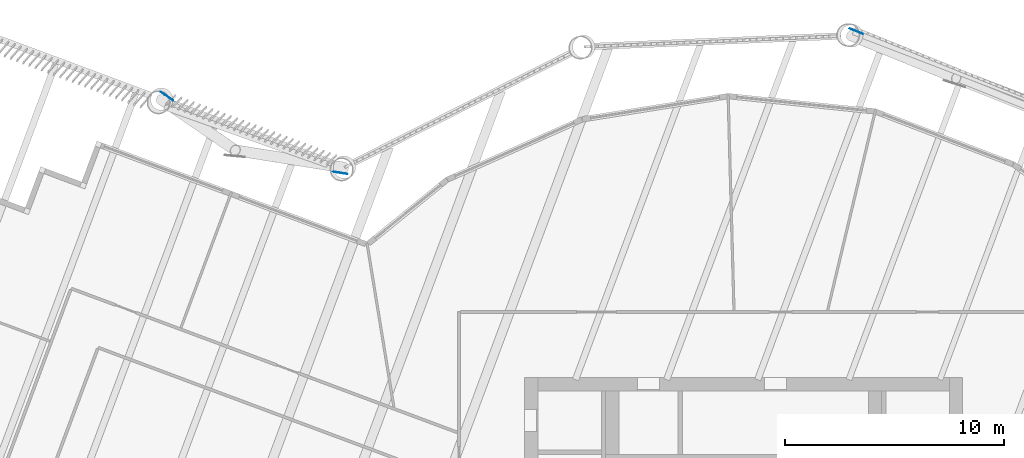
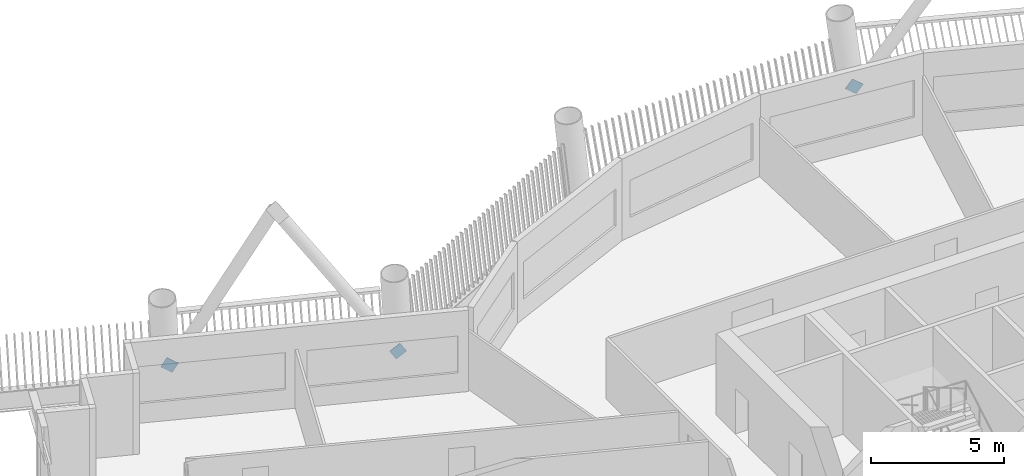
# One storey, part 14 of 22: 3 discrete accessories.
"""IFC4 building model written with IfcOpenShell, lengths in metres."""

from ifc_helpers import new_model, si_unit, direction, frame, origin, origin_2d, place, context, subcontext, project, spatial, rectangle, extrude, material, material_profile, profile_set, type_object, element, save


model = new_model("IFC4")

# Units and contexts
model_context = context("Model", 3, precision=1e-05, world=origin(), true_north=direction((0.0, 1.0)))
body_context = subcontext(model_context, "Body", "Model", "MODEL_VIEW")
ifc_project = project(units=[si_unit("LENGTHUNIT", "METRE"), si_unit("AREAUNIT", "SQUARE_METRE"), si_unit("VOLUMEUNIT", "CUBIC_METRE"), si_unit("PLANEANGLEUNIT", "RADIAN"), si_unit("MASSUNIT", "GRAM", prefix="KILO")], contexts=[model_context])

# Site, building, storey
site_placement = place(None, origin())
site = spatial("IfcSite", under=ifc_project, at=site_placement, CompositionType="ELEMENT")
building_placement = place(site_placement, origin())
building = spatial("IfcBuilding", under=site, at=building_placement, Name="Tarsis Ring Headquarters", CompositionType="ELEMENT")
storey_placement = place(building_placement, frame((0.0, 0.0, 200.39990234375)))
storey = spatial("IfcBuildingStorey", under=building, at=storey_placement, Name="L46", CompositionType="ELEMENT", Elevation=200.39990234375)

# Discrete accessories
ifc_material = material(Name="Structural steel S355", Category="steel")
ifc_material_profile = material_profile(ifc_material, rectangle(XDim=0.02490234375, YDim=0.5, at=origin_2d()), Name="PL 25x500")
ifc_profile_set = profile_set([ifc_material_profile], Name="Structural steel S355")
discrete_accessory_type = type_object("IfcDiscreteAccessoryType", Name="Gusset plate Exo brace 25", PredefinedType="BRACKET", material=ifc_profile_set)
discrete_accessory_placement = place(storey_placement, frame((5.022216796875, 28.87548828125, 0.0), z_axis=(0.51175993107, -0.208024552133, 0.833563170168), x_axis=(0.376566723575, 0.926389498373, 0.0)))
element("IfcDiscreteAccessory", 1, at=discrete_accessory_placement, inside=storey, type_object=discrete_accessory_type, Name="Gusset plate GP5", PredefinedType="BRACKET", context=body_context, shape_type="SweptSolid", body=[
    extrude(rectangle(XDim=0.02490234375, YDim=0.5, at=origin_2d()), origin(), (0.0, 0.0, 1.0), 0.5),
])
for number, where, z_axis, x_axis, name in (
    (2, (-18.295166015625, 22.333984375, 0.0), (-0.534976373353, 0.08542049757, 0.84053769609), (-0.157674230895, -0.987491183207, 0.0), "Gusset plate GP5"),
    (3, (-26.444091796875, 25.92578125, 0.0), (0.383162041238, -0.2630883315, 0.885421583192), (0.566038460327, 0.824378833686, 0.0), "Gusset plate GP5"),
):
    element("IfcDiscreteAccessory", number, at=place(storey_placement, frame(where, z_axis=z_axis, x_axis=x_axis)), inside=storey, type_object=discrete_accessory_type, Name=name, PredefinedType="BRACKET", context=body_context, shape_type="SweptSolid", body=[
        extrude(rectangle(XDim=0.02490234375, YDim=0.5, at=origin_2d()), origin(), (0.0, 0.0, 1.0), 0.500244140625),
    ])

save(model, "model.ifc")
